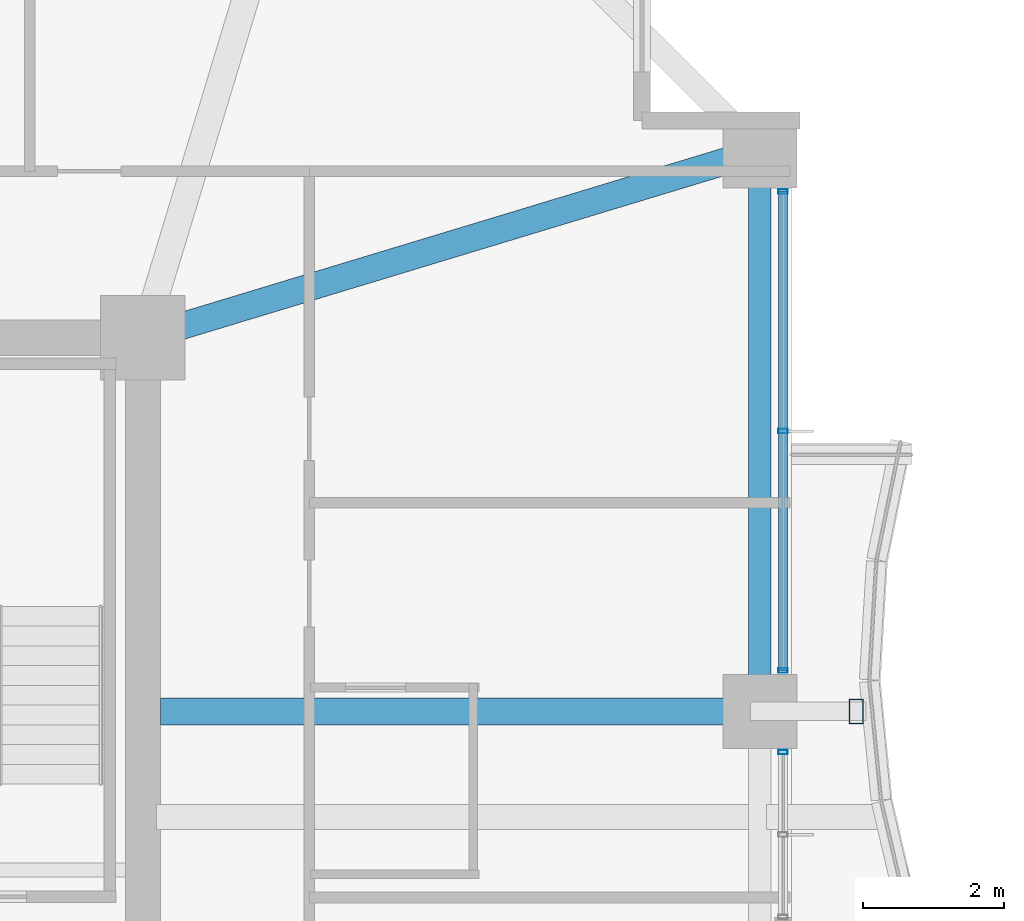
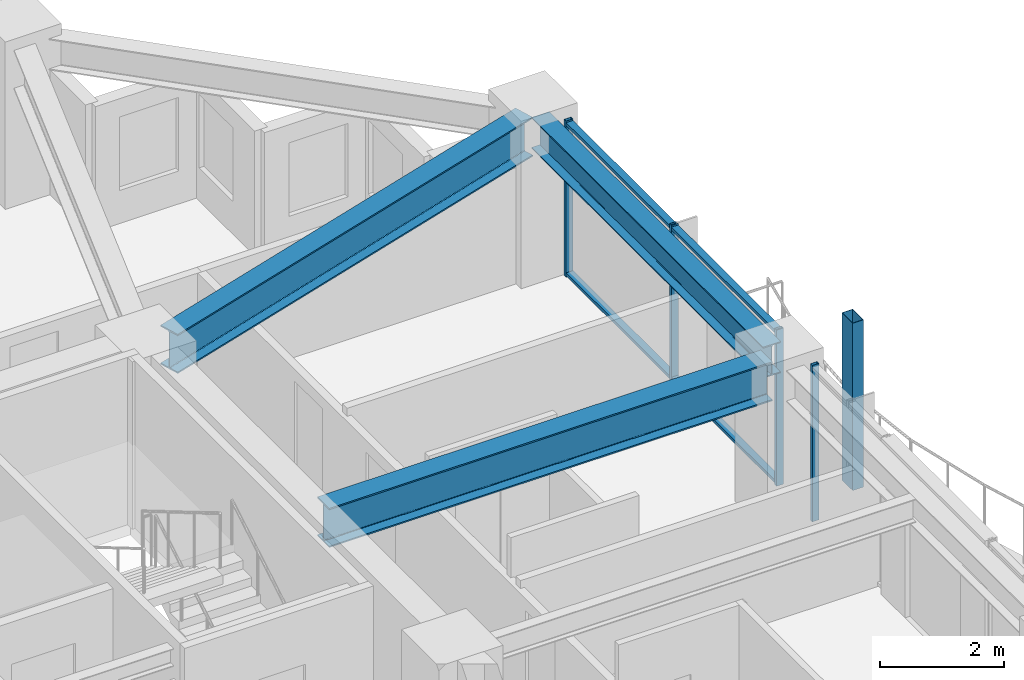
# One storey, part 17 of 35: 7 members, 3 beams, 2 elements without a shape of their own.
"""IFC4 building model written with IfcOpenShell, lengths in metres."""

from ifc_helpers import new_model, si_unit, direction, frame, origin, origin_2d, place, context, subcontext, project, spatial, hollow_rectangle, i_section, extrude, material, material_profile, profile_set, type_object, element, aggregate, save


model = new_model("IFC4")

# Units and contexts
model_context = context("Model", 3, precision=1e-05, world=origin(), true_north=direction((0.0, 1.0)))
body_context = subcontext(model_context, "Body", "Model", "MODEL_VIEW")
ifc_project = project(units=[si_unit("LENGTHUNIT", "METRE"), si_unit("AREAUNIT", "SQUARE_METRE"), si_unit("VOLUMEUNIT", "CUBIC_METRE"), si_unit("PLANEANGLEUNIT", "RADIAN"), si_unit("MASSUNIT", "GRAM", prefix="KILO")], contexts=[model_context])

# Site, building, storey
site_placement = place(None, origin())
site = spatial("IfcSite", under=ifc_project, at=site_placement, CompositionType="ELEMENT")
building_placement = place(site_placement, origin())
building = spatial("IfcBuilding", under=site, at=building_placement, Name="Kolvaren Belvedere", CompositionType="ELEMENT")
storey_placement = place(building_placement, frame((0.0, 0.0, 115.10009765625)))
storey = spatial("IfcBuildingStorey", under=building, at=storey_placement, Name="L33", CompositionType="ELEMENT", Elevation=115.10009765625)

# Beams
ifc_material_1 = material(Name="Structural steel ASTM A992 Grade 50", Category="steel")
ifc_material_profile_1 = material_profile(ifc_material_1, i_section(OverallWidth=0.381103515625, OverallDepth=0.77294921875, WebThickness=0.0166015625, FlangeThickness=0.027099609375, FilletRadius=0.02392578125, at=origin_2d()), Name="W30X173")
ifc_profile_set_1 = profile_set([ifc_material_profile_1], Name="Structural steel ASTM A992 Grade 50")
beam_type_1 = type_object("IfcBeamType", Name="BM-GIRD-W30X173", PredefinedType="BEAM", material=ifc_profile_set_1)
beam_1_placement = place(storey_placement, frame((10.14990234375, 4.60009765625, 2.693359375), z_axis=(1.0, 0.0, 0.0), x_axis=(0.0, 1.0, 0.0)))
element("IfcBeam", 1, at=beam_1_placement, inside=storey, type_object=beam_type_1, Name="L33 East Radial Girder P", PredefinedType="BEAM", context=body_context, shape_type="SweptSolid", body=[
    extrude(i_section(OverallWidth=0.381103515625, OverallDepth=0.77294921875, WebThickness=0.0166015625, FlangeThickness=0.027099609375, FilletRadius=0.02392578125, at=origin_2d()), origin(), (0.0, 0.0, 1.0), 8.263916015625),
])
beam_2_placement = place(storey_placement, frame((10.426513671875, 10.059326171875, 2.693359375), z_axis=(0.957069465398, 0.289858652454, 0.0), x_axis=(-0.289858652454, 0.957069465398, 0.0)))
element("IfcBeam", 2, at=beam_2_placement, inside=storey, type_object=beam_type_1, Name="L33 Corner Core-to-Perimeter Girder CC3-E4", PredefinedType="BEAM", context=body_context, shape_type="SweptSolid", body=[
    extrude(i_section(OverallWidth=0.381103515625, OverallDepth=0.77294921875, WebThickness=0.0166015625, FlangeThickness=0.027099609375, FilletRadius=0.02392578125, at=origin_2d()), origin(), (0.0, 0.0, 1.0), 8.38232421875),
])
ifc_material_2 = material(Name="Structural steel ASTM A992 Grade 50", Category="steel")
ifc_material_profile_2 = material_profile(ifc_material_2, i_section(OverallWidth=0.324951171875, OverallDepth=0.615966796875, WebThickness=0.013916015625, FlangeThickness=0.021484375, FilletRadius=0.02001953125, at=origin_2d()), Name="W24X117")
ifc_profile_set_2 = profile_set([ifc_material_profile_2], Name="Structural steel ASTM A992 Grade 50")
beam_type_2 = type_object("IfcBeamType", Name="BM-SPAN-W24X117", PredefinedType="SPANDREL", material=ifc_profile_set_2)
beam_3_placement = place(storey_placement, frame((18.64990234375, 4.836181640625, 2.77197265625), z_axis=(0.0, 1.0, 0.0), x_axis=(-1.0, 0.0, 0.0)))
element("IfcBeam", 3, at=beam_3_placement, inside=storey, type_object=beam_type_2, Name="L33 Perimeter Spandrel E3-E4", PredefinedType="SPANDREL", context=body_context, shape_type="SweptSolid", body=[
    extrude(i_section(OverallWidth=0.324951171875, OverallDepth=0.615966796875, WebThickness=0.013916015625, FlangeThickness=0.021484375, FilletRadius=0.02001953125, at=origin_2d()), origin(), (0.0, 0.0, 1.0), 7.4775390625),
])

# Curtain wall, members
ifc_material_3 = material(Name="Anodised pale-metal aluminium AA 6063-T6", Category="aluminium")
curtain_wall_type = type_object("IfcCurtainWallType", Name="CW-Z3-WAIST", PredefinedType="NOTDEFINED", material=ifc_material_3)
curtain_wall_1_placement = place(storey_placement, origin())
curtain_wall_1 = element("IfcCurtainWall", 4, at=curtain_wall_1_placement, inside=storey, type_object=curtain_wall_type, Name="L33 Unitised Curtain Wall FCW-L33-E1-B1", PredefinedType="NOTDEFINED")
ifc_material_4 = material(Name="Anodised pale-metal aluminium AA 6063-T6", Category="aluminium")
ifc_material_profile_3 = material_profile(ifc_material_4, hollow_rectangle(XDim=0.06494140625, YDim=0.1298828125, WallThickness=0.00390625, at=origin_2d()), Name="ALU-MUL-130X65")
ifc_profile_set_3 = profile_set([ifc_material_profile_3], Name="Anodised pale-metal aluminium AA 6063-T6")
member_type_1 = type_object("IfcMemberType", Name="CW-MUL-130", PredefinedType="MULLION", material=ifc_profile_set_3)
member_1_placement = place(storey_placement, frame((18.97998046875, 11.972412109375, 0.0), z_axis=(0.0, 0.0, 1.0), x_axis=(0.0, 1.0, 0.0)))
member_1 = element("IfcMember", 5, at=member_1_placement, type_object=member_type_1, Name="FCW-L33-E1-B1 Unitised Mullion 1", PredefinedType="MULLION", context=body_context, shape_type="SweptSolid", body=[
    extrude(hollow_rectangle(XDim=0.06494140625, YDim=0.1298828125, WallThickness=0.00390625, at=origin_2d()), origin(), (0.0, 0.0, 1.0), 3.079833984375),
])
member_2_placement = place(storey_placement, frame((18.97998046875, 8.574951171875, 0.0), z_axis=(0.0, 0.0, 1.0), x_axis=(0.0, 1.0, 0.0)))
member_2 = element("IfcMember", 6, at=member_2_placement, type_object=member_type_1, Name="FCW-L33-E1-B1 Unitised Mullion 2", PredefinedType="MULLION", context=body_context, shape_type="SweptSolid", body=[
    extrude(hollow_rectangle(XDim=0.06494140625, YDim=0.1298828125, WallThickness=0.00390625, at=origin_2d()), origin(), (0.0, 0.0, 1.0), 3.079833984375),
])
member_3_placement = place(storey_placement, frame((18.97998046875, 5.177490234375, 0.0), z_axis=(0.0, 0.0, 1.0), x_axis=(0.0, 1.0, 0.0)))
member_3 = element("IfcMember", 7, at=member_3_placement, type_object=member_type_1, Name="FCW-L33-E1-B1 Unitised Mullion 3", PredefinedType="MULLION", context=body_context, shape_type="SweptSolid", body=[
    extrude(hollow_rectangle(XDim=0.06494140625, YDim=0.1298828125, WallThickness=0.00390625, at=origin_2d()), origin(), (0.0, 0.0, 1.0), 3.079833984375),
])

# Curtain wall, member
curtain_wall_2_placement = place(storey_placement, origin())
curtain_wall_2 = element("IfcCurtainWall", 8, at=curtain_wall_2_placement, inside=storey, type_object=curtain_wall_type, Name="L33 Unitised Curtain Wall FCW-L33-E1-B2", PredefinedType="NOTDEFINED")
member_4_placement = place(storey_placement, frame((18.97998046875, 4.0224609375, 0.0), z_axis=(0.0, 0.0, 1.0), x_axis=(0.0, 1.0, 0.0)))
member_4 = element("IfcMember", 9, at=member_4_placement, type_object=member_type_1, Name="FCW-L33-E1-B2 Unitised Mullion 1", PredefinedType="MULLION", context=body_context, shape_type="SweptSolid", body=[
    extrude(hollow_rectangle(XDim=0.06494140625, YDim=0.1298828125, WallThickness=0.00390625, at=origin_2d()), origin(), (0.0, 0.0, 1.0), 3.079833984375),
])
aggregate(curtain_wall_2, [member_4])

# Member
ifc_material_5 = material(Name="Anodised pale-metal aluminium AA 6063-T6", Category="aluminium")
ifc_material_profile_4 = material_profile(ifc_material_5, hollow_rectangle(XDim=0.06005859375, YDim=0.1298828125, WallThickness=0.00390625, at=origin_2d()), Name="ALU-TRN-130X60")
ifc_profile_set_4 = profile_set([ifc_material_profile_4], Name="Anodised pale-metal aluminium AA 6063-T6")
member_type_2 = type_object("IfcMemberType", Name="CW-TRN-130", PredefinedType="USERDEFINED", material=ifc_profile_set_4)
member_5_placement = place(storey_placement, frame((18.97998046875, 11.972412109375, 0.059814453125), z_axis=(0.0, -1.0, 0.0), x_axis=(0.0, 0.0, 1.0)))
member_5 = element("IfcMember", 10, at=member_5_placement, type_object=member_type_2, Name="FCW-L33-E1-B1 Sill Transom", ObjectType="TRANSOM", PredefinedType="USERDEFINED", context=body_context, shape_type="SweptSolid", body=[
    extrude(hollow_rectangle(XDim=0.06005859375, YDim=0.1298828125, WallThickness=0.00390625, at=origin_2d()), origin(), (0.0, 0.0, 1.0), 6.794921875),
])

member_6_placement = place(storey_placement, frame((18.97998046875, 11.972412109375, 3.02001953125), z_axis=(0.0, -1.0, 0.0), x_axis=(0.0, 0.0, 1.0)))
member_6 = element("IfcMember", 11, at=member_6_placement, type_object=member_type_2, Name="FCW-L33-E1-B1 Head Transom", ObjectType="TRANSOM", PredefinedType="USERDEFINED", context=body_context, shape_type="SweptSolid", body=[
    extrude(hollow_rectangle(XDim=0.06005859375, YDim=0.1298828125, WallThickness=0.00390625, at=origin_2d()), origin(), (0.0, 0.0, 1.0), 6.794921875),
])

aggregate(curtain_wall_1, [member_1, member_2, member_3, member_5, member_6])

ifc_material_6 = material(Name="Anodised pale-metal aluminium AA 6063-T6", Category="aluminium")
ifc_material_profile_5 = material_profile(ifc_material_6, hollow_rectangle(XDim=0.199951171875, YDim=0.35009765625, WallThickness=0.007568359375, at=origin_2d()), Name="ALU-PF-350X200")
ifc_profile_set_5 = profile_set([ifc_material_profile_5], Name="Anodised pale-metal aluminium AA 6063-T6")
member_type_3 = type_object("IfcMemberType", Name="PF-FRAME-350", PredefinedType="USERDEFINED", material=ifc_profile_set_5)
member_7_placement = place(storey_placement, frame((20.02001953125, 4.60009765625, 0.0), z_axis=(0.0, 0.0, 1.0), x_axis=(1.0, 0.0, 0.0)))
element("IfcMember", 12, at=member_7_placement, inside=storey, type_object=member_type_3, Name="L33 Outboard Picture-Frame Vertical E1", ObjectType="PICTURE FRAME FIN", PredefinedType="USERDEFINED", context=body_context, shape_type="SweptSolid", body=[
    extrude(hollow_rectangle(XDim=0.199951171875, YDim=0.35009765625, WallThickness=0.007568359375, at=origin_2d()), origin(), (0.0, 0.0, 1.0), 3.2998046875),
])

save(model, "model.ifc")
